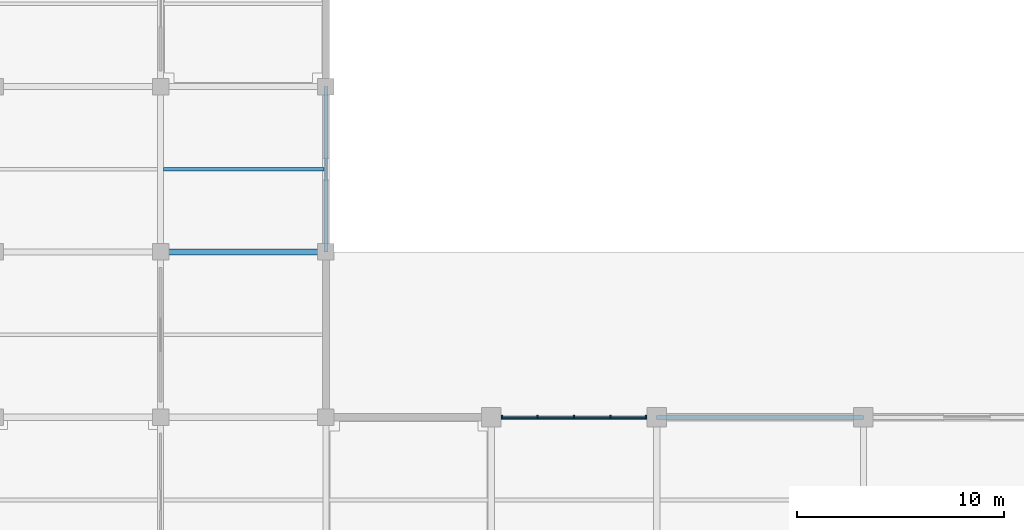
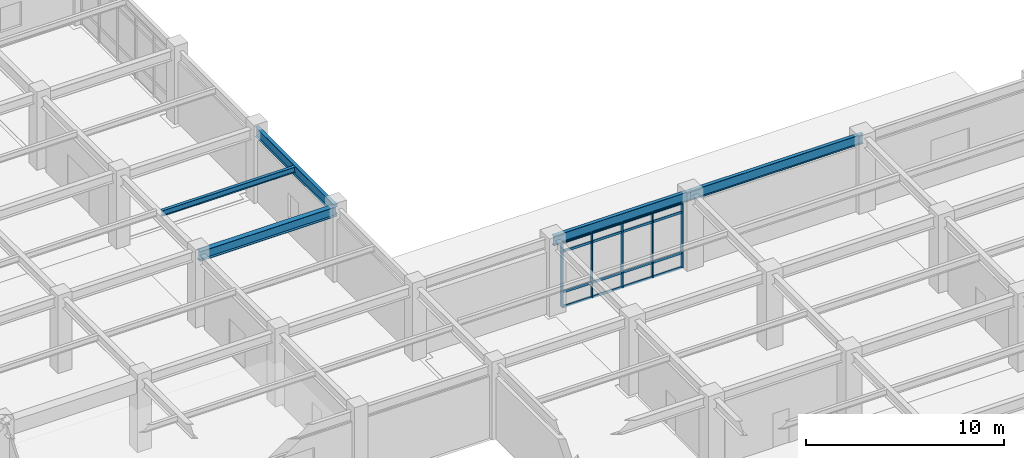
# One storey, part 51 of 109: 21 members, 5 beams, 1 element without a shape of its own.
"""IFC4 building model written with IfcOpenShell, lengths in metres."""

from ifc_helpers import new_model, si_unit, direction, frame, origin, origin_2d, place, context, subcontext, project, spatial, rectangle, i_section, extrude, material, layer, layer_set, material_profile, profile_set, type_object, element, aggregate, save


model = new_model("IFC4")

# Units and contexts
model_context = context("Model", 3, precision=1e-05, world=origin(), true_north=direction((0.0, 1.0)))
body_context = subcontext(model_context, "Body", "Model", "MODEL_VIEW")
ifc_project = project(units=[si_unit("LENGTHUNIT", "METRE"), si_unit("AREAUNIT", "SQUARE_METRE"), si_unit("VOLUMEUNIT", "CUBIC_METRE"), si_unit("PLANEANGLEUNIT", "RADIAN"), si_unit("MASSUNIT", "GRAM", prefix="KILO")], contexts=[model_context])

# Site, building, storey
site_placement = place(None, origin())
site = spatial("IfcSite", under=ifc_project, at=site_placement, CompositionType="ELEMENT")
building_placement = place(site_placement, origin())
building = spatial("IfcBuilding", under=site, at=building_placement, Name="Haebicheon Civic Stadium", CompositionType="ELEMENT")
storey_placement = place(building_placement, frame((0.0, 0.0, 9.60009765625)))
storey = spatial("IfcBuildingStorey", under=building, at=storey_placement, Name="L03", CompositionType="ELEMENT", Elevation=9.60009765625)

# Beam
ifc_material_1 = material(Name="Steel SM355 (S355)", Category="steel")
ifc_material_profile_1 = material_profile(ifc_material_1, i_section(OverallWidth=0.300048828125, OverallDepth=0.60009765625, WebThickness=0.011962890625, FlangeThickness=0.02001953125, at=origin_2d()), Name="H-600x300x12x20")
ifc_profile_set_1 = profile_set([ifc_material_profile_1], Name="Steel SM355 (S355)")
beam_type_1 = type_object("IfcBeamType", Name="BM-ST-H600A", PredefinedType="BEAM", material=ifc_profile_set_1)
beam_1_placement = place(storey_placement, frame((192.0, 152.0, 4.099853515625), z_axis=(1.0, 0.0, 0.0), x_axis=(0.0, 1.0, 0.0)))
element("IfcBeam", 1, at=beam_1_placement, inside=storey, type_object=beam_type_1, material=ifc_profile_set_1, Name="L03 beam V/25-26", PredefinedType="BEAM", context=body_context, shape_type="SweptSolid", body=[
    extrude(i_section(OverallWidth=0.300048828125, OverallDepth=0.60009765625, WebThickness=0.011962890625, FlangeThickness=0.02001953125, at=origin_2d()), origin(), (0.0, 0.0, 1.0), 8.0),
])

# Curtain wall, members
ifc_material_2 = material(Name="Anodised aluminium and laminated glass", Category="aluminium")
ifc_layer = layer(ifc_material_2, 0.179931640625, Name="Anodised aluminium and laminated glass")
ifc_layer_set = layer_set([ifc_layer], Name="Anodised aluminium and laminated glass")
curtain_wall_type = type_object("IfcCurtainWallType", Name="CW-7050x3950", PredefinedType="NOTDEFINED", material=ifc_layer_set)
curtain_wall_placement = place(storey_placement, origin())
curtain_wall = element("IfcCurtainWall", 2, at=curtain_wall_placement, inside=storey, type_object=curtain_wall_type, material=ifc_layer_set, Name="L03 unitised curtain wall 100", PredefinedType="NOTDEFINED")
ifc_material_3 = material(Name="Anodised aluminium 6063-T6", Category="aluminium")
ifc_material_profile_2 = material_profile(ifc_material_3, rectangle(XDim=0.070068359375, YDim=0.199951171875, at=origin_2d()), Name="ALU-MULL-70x200")
ifc_profile_set_2 = profile_set([ifc_material_profile_2], Name="Anodised aluminium 6063-T6")
member_type_1 = type_object("IfcMemberType", Name="CWM-200x70", PredefinedType="MULLION", material=ifc_profile_set_2)
member_1_placement = place(storey_placement, frame((208.510009765625, 144.0, 0.0), z_axis=(0.0, 0.0, 1.0), x_axis=(1.0, 0.0, 0.0)))
member_1 = element("IfcMember", 3, at=member_1_placement, type_object=member_type_1, material=ifc_profile_set_2, Name="CW-L03-100 vertical mullion 1", PredefinedType="MULLION", context=body_context, shape_type="SweptSolid", body=[
    extrude(rectangle(XDim=0.070068359375, YDim=0.199951171875, at=origin_2d()), origin(), (0.0, 0.0, 1.0), 3.949951171875),
])
member_2_placement = place(storey_placement, frame((210.237060546875, 144.0, 0.0), z_axis=(0.0, 0.0, 1.0), x_axis=(1.0, 0.0, 0.0)))
member_2 = element("IfcMember", 4, at=member_2_placement, type_object=member_type_1, material=ifc_profile_set_2, Name="CW-L03-100 vertical mullion 2", PredefinedType="MULLION", context=body_context, shape_type="SweptSolid", body=[
    extrude(rectangle(XDim=0.070068359375, YDim=0.199951171875, at=origin_2d()), origin(), (0.0, 0.0, 1.0), 3.949951171875),
])
member_3_placement = place(storey_placement, frame((212.0, 144.0, 0.0), z_axis=(0.0, 0.0, 1.0), x_axis=(1.0, 0.0, 0.0)))
member_3 = element("IfcMember", 5, at=member_3_placement, type_object=member_type_1, material=ifc_profile_set_2, Name="CW-L03-100 vertical mullion 3", PredefinedType="MULLION", context=body_context, shape_type="SweptSolid", body=[
    extrude(rectangle(XDim=0.070068359375, YDim=0.199951171875, at=origin_2d()), origin(), (0.0, 0.0, 1.0), 3.949951171875),
])
member_4_placement = place(storey_placement, frame((213.762939453125, 144.0, 0.0), z_axis=(0.0, 0.0, 1.0), x_axis=(1.0, 0.0, 0.0)))
member_4 = element("IfcMember", 6, at=member_4_placement, type_object=member_type_1, material=ifc_profile_set_2, Name="CW-L03-100 vertical mullion 4", PredefinedType="MULLION", context=body_context, shape_type="SweptSolid", body=[
    extrude(rectangle(XDim=0.070068359375, YDim=0.199951171875, at=origin_2d()), origin(), (0.0, 0.0, 1.0), 3.949951171875),
])
member_5_placement = place(storey_placement, frame((215.489990234375, 144.0, 0.0), z_axis=(0.0, 0.0, 1.0), x_axis=(1.0, 0.0, 0.0)))
member_5 = element("IfcMember", 7, at=member_5_placement, type_object=member_type_1, material=ifc_profile_set_2, Name="CW-L03-100 vertical mullion 5", PredefinedType="MULLION", context=body_context, shape_type="SweptSolid", body=[
    extrude(rectangle(XDim=0.070068359375, YDim=0.199951171875, at=origin_2d()), origin(), (0.0, 0.0, 1.0), 3.949951171875),
])
ifc_material_4 = material(Name="Anodised aluminium 6063-T6", Category="aluminium")
ifc_material_profile_3 = material_profile(ifc_material_4, rectangle(XDim=0.070068359375, YDim=0.14990234375, at=origin_2d()), Name="ALU-TRAN-70x150")
ifc_profile_set_3 = profile_set([ifc_material_profile_3], Name="Anodised aluminium 6063-T6")
member_type_2 = type_object("IfcMemberType", Name="CWT-150x70", PredefinedType="NOTDEFINED", material=ifc_profile_set_3)
member_6_placement = place(storey_placement, frame((208.544921875, 144.0, 0.0), z_axis=(1.0, 0.0, 0.0), x_axis=(0.0, 1.0, 0.0)))
member_6 = element("IfcMember", 8, at=member_6_placement, type_object=member_type_2, material=ifc_profile_set_3, Name="CW-L03-100 horizontal transom 1.1", ObjectType="TRANSOM", PredefinedType="USERDEFINED", context=body_context, shape_type="SweptSolid", body=[
    extrude(rectangle(XDim=0.070068359375, YDim=0.14990234375, at=origin_2d()), origin(), (0.0, 0.0, 1.0), 1.656982421875),
])
member_7_placement = place(storey_placement, frame((208.544921875, 144.0, 0.89990234375), z_axis=(1.0, 0.0, 0.0), x_axis=(0.0, 1.0, 0.0)))
member_7 = element("IfcMember", 9, at=member_7_placement, type_object=member_type_2, material=ifc_profile_set_3, Name="CW-L03-100 horizontal transom 1.2", ObjectType="TRANSOM", PredefinedType="USERDEFINED", context=body_context, shape_type="SweptSolid", body=[
    extrude(rectangle(XDim=0.070068359375, YDim=0.14990234375, at=origin_2d()), origin(), (0.0, 0.0, 1.0), 1.656982421875),
])
member_8_placement = place(storey_placement, frame((208.544921875, 144.0, 3.39990234375), z_axis=(1.0, 0.0, 0.0), x_axis=(0.0, 1.0, 0.0)))
member_8 = element("IfcMember", 10, at=member_8_placement, type_object=member_type_2, material=ifc_profile_set_3, Name="CW-L03-100 horizontal transom 1.3", ObjectType="TRANSOM", PredefinedType="USERDEFINED", context=body_context, shape_type="SweptSolid", body=[
    extrude(rectangle(XDim=0.070068359375, YDim=0.14990234375, at=origin_2d()), origin(), (0.0, 0.0, 1.0), 1.656982421875),
])
member_9_placement = place(storey_placement, frame((208.544921875, 144.0, 3.949951171875), z_axis=(1.0, 0.0, 0.0), x_axis=(0.0, 1.0, 0.0)))
member_9 = element("IfcMember", 11, at=member_9_placement, type_object=member_type_2, material=ifc_profile_set_3, Name="CW-L03-100 horizontal transom 1.4", ObjectType="TRANSOM", PredefinedType="USERDEFINED", context=body_context, shape_type="SweptSolid", body=[
    extrude(rectangle(XDim=0.070068359375, YDim=0.14990234375, at=origin_2d()), origin(), (0.0, 0.0, 1.0), 1.656982421875),
])
member_10_placement = place(storey_placement, frame((210.27197265625, 144.0, 0.0), z_axis=(1.0, 0.0, 0.0), x_axis=(0.0, 1.0, 0.0)))
member_10 = element("IfcMember", 12, at=member_10_placement, type_object=member_type_2, material=ifc_profile_set_3, Name="CW-L03-100 horizontal transom 2.1", ObjectType="TRANSOM", PredefinedType="USERDEFINED", context=body_context, shape_type="SweptSolid", body=[
    extrude(rectangle(XDim=0.070068359375, YDim=0.14990234375, at=origin_2d()), origin(), (0.0, 0.0, 1.0), 1.693115234375),
])
member_11_placement = place(storey_placement, frame((210.27197265625, 144.0, 0.89990234375), z_axis=(1.0, 0.0, 0.0), x_axis=(0.0, 1.0, 0.0)))
member_11 = element("IfcMember", 13, at=member_11_placement, type_object=member_type_2, material=ifc_profile_set_3, Name="CW-L03-100 horizontal transom 2.2", ObjectType="TRANSOM", PredefinedType="USERDEFINED", context=body_context, shape_type="SweptSolid", body=[
    extrude(rectangle(XDim=0.070068359375, YDim=0.14990234375, at=origin_2d()), origin(), (0.0, 0.0, 1.0), 1.693115234375),
])
member_12_placement = place(storey_placement, frame((210.27197265625, 144.0, 3.39990234375), z_axis=(1.0, 0.0, 0.0), x_axis=(0.0, 1.0, 0.0)))
member_12 = element("IfcMember", 14, at=member_12_placement, type_object=member_type_2, material=ifc_profile_set_3, Name="CW-L03-100 horizontal transom 2.3", ObjectType="TRANSOM", PredefinedType="USERDEFINED", context=body_context, shape_type="SweptSolid", body=[
    extrude(rectangle(XDim=0.070068359375, YDim=0.14990234375, at=origin_2d()), origin(), (0.0, 0.0, 1.0), 1.693115234375),
])
member_13_placement = place(storey_placement, frame((210.27197265625, 144.0, 3.949951171875), z_axis=(1.0, 0.0, 0.0), x_axis=(0.0, 1.0, 0.0)))
member_13 = element("IfcMember", 15, at=member_13_placement, type_object=member_type_2, material=ifc_profile_set_3, Name="CW-L03-100 horizontal transom 2.4", ObjectType="TRANSOM", PredefinedType="USERDEFINED", context=body_context, shape_type="SweptSolid", body=[
    extrude(rectangle(XDim=0.070068359375, YDim=0.14990234375, at=origin_2d()), origin(), (0.0, 0.0, 1.0), 1.693115234375),
])
member_14_placement = place(storey_placement, frame((212.034912109375, 144.0, 0.0), z_axis=(1.0, 0.0, 0.0), x_axis=(0.0, 1.0, 0.0)))
member_14 = element("IfcMember", 16, at=member_14_placement, type_object=member_type_2, material=ifc_profile_set_3, Name="CW-L03-100 horizontal transom 3.1", ObjectType="TRANSOM", PredefinedType="USERDEFINED", context=body_context, shape_type="SweptSolid", body=[
    extrude(rectangle(XDim=0.070068359375, YDim=0.14990234375, at=origin_2d()), origin(), (0.0, 0.0, 1.0), 1.693115234375),
])
member_15_placement = place(storey_placement, frame((212.034912109375, 144.0, 0.89990234375), z_axis=(1.0, 0.0, 0.0), x_axis=(0.0, 1.0, 0.0)))
member_15 = element("IfcMember", 17, at=member_15_placement, type_object=member_type_2, material=ifc_profile_set_3, Name="CW-L03-100 horizontal transom 3.2", ObjectType="TRANSOM", PredefinedType="USERDEFINED", context=body_context, shape_type="SweptSolid", body=[
    extrude(rectangle(XDim=0.070068359375, YDim=0.14990234375, at=origin_2d()), origin(), (0.0, 0.0, 1.0), 1.693115234375),
])
member_16_placement = place(storey_placement, frame((212.034912109375, 144.0, 3.39990234375), z_axis=(1.0, 0.0, 0.0), x_axis=(0.0, 1.0, 0.0)))
member_16 = element("IfcMember", 18, at=member_16_placement, type_object=member_type_2, material=ifc_profile_set_3, Name="CW-L03-100 horizontal transom 3.3", ObjectType="TRANSOM", PredefinedType="USERDEFINED", context=body_context, shape_type="SweptSolid", body=[
    extrude(rectangle(XDim=0.070068359375, YDim=0.14990234375, at=origin_2d()), origin(), (0.0, 0.0, 1.0), 1.693115234375),
])
member_17_placement = place(storey_placement, frame((212.034912109375, 144.0, 3.949951171875), z_axis=(1.0, 0.0, 0.0), x_axis=(0.0, 1.0, 0.0)))
member_17 = element("IfcMember", 19, at=member_17_placement, type_object=member_type_2, material=ifc_profile_set_3, Name="CW-L03-100 horizontal transom 3.4", ObjectType="TRANSOM", PredefinedType="USERDEFINED", context=body_context, shape_type="SweptSolid", body=[
    extrude(rectangle(XDim=0.070068359375, YDim=0.14990234375, at=origin_2d()), origin(), (0.0, 0.0, 1.0), 1.693115234375),
])
member_18_placement = place(storey_placement, frame((213.798095703125, 144.0, 0.0), z_axis=(1.0, 0.0, 0.0), x_axis=(0.0, 1.0, 0.0)))
member_18 = element("IfcMember", 20, at=member_18_placement, type_object=member_type_2, material=ifc_profile_set_3, Name="CW-L03-100 horizontal transom 4.1", ObjectType="TRANSOM", PredefinedType="USERDEFINED", context=body_context, shape_type="SweptSolid", body=[
    extrude(rectangle(XDim=0.070068359375, YDim=0.14990234375, at=origin_2d()), origin(), (0.0, 0.0, 1.0), 1.656982421875),
])
member_19_placement = place(storey_placement, frame((213.798095703125, 144.0, 0.89990234375), z_axis=(1.0, 0.0, 0.0), x_axis=(0.0, 1.0, 0.0)))
member_19 = element("IfcMember", 21, at=member_19_placement, type_object=member_type_2, material=ifc_profile_set_3, Name="CW-L03-100 horizontal transom 4.2", ObjectType="TRANSOM", PredefinedType="USERDEFINED", context=body_context, shape_type="SweptSolid", body=[
    extrude(rectangle(XDim=0.070068359375, YDim=0.14990234375, at=origin_2d()), origin(), (0.0, 0.0, 1.0), 1.656982421875),
])
member_20_placement = place(storey_placement, frame((213.798095703125, 144.0, 3.39990234375), z_axis=(1.0, 0.0, 0.0), x_axis=(0.0, 1.0, 0.0)))
member_20 = element("IfcMember", 22, at=member_20_placement, type_object=member_type_2, material=ifc_profile_set_3, Name="CW-L03-100 horizontal transom 4.3", ObjectType="TRANSOM", PredefinedType="USERDEFINED", context=body_context, shape_type="SweptSolid", body=[
    extrude(rectangle(XDim=0.070068359375, YDim=0.14990234375, at=origin_2d()), origin(), (0.0, 0.0, 1.0), 1.656982421875),
])
member_21_placement = place(storey_placement, frame((213.798095703125, 144.0, 3.949951171875), z_axis=(1.0, 0.0, 0.0), x_axis=(0.0, 1.0, 0.0)))
member_21 = element("IfcMember", 23, at=member_21_placement, type_object=member_type_2, material=ifc_profile_set_3, Name="CW-L03-100 horizontal transom 4.4", ObjectType="TRANSOM", PredefinedType="USERDEFINED", context=body_context, shape_type="SweptSolid", body=[
    extrude(rectangle(XDim=0.070068359375, YDim=0.14990234375, at=origin_2d()), origin(), (0.0, 0.0, 1.0), 1.656982421875),
])
aggregate(curtain_wall, [member_1, member_2, member_3, member_4, member_5, member_6, member_7, member_8, member_9, member_10, member_11, member_12, member_13, member_14, member_15, member_16, member_17, member_18, member_19, member_20, member_21])

# Beams
ifc_material_5 = material(Name="Steel SM355 (S355)", Category="steel")
ifc_material_profile_4 = material_profile(ifc_material_5, i_section(OverallWidth=0.175048828125, OverallDepth=0.35009765625, WebThickness=0.007080078125, FlangeThickness=0.010986328125, at=origin_2d()), Name="H-350x175x7x11")
ifc_profile_set_4 = profile_set([ifc_material_profile_4], Name="Steel SM355 (S355)")
beam_type_2 = type_object("IfcBeamType", Name="JST-ST-H350", PredefinedType="JOIST", material=ifc_profile_set_4)
beam_2_placement = place(storey_placement, frame((192.14990234375, 156.0, 4.224853515625), z_axis=(1.0, 0.0, 0.0), x_axis=(0.0, 1.0, 0.0)))
element("IfcBeam", 24, at=beam_2_placement, inside=storey, type_object=beam_type_2, material=ifc_profile_set_4, Name="L03 secondary joist 24-19", PredefinedType="JOIST", context=body_context, shape_type="SweptSolid", body=[
    extrude(i_section(OverallWidth=0.175048828125, OverallDepth=0.35009765625, WebThickness=0.007080078125, FlangeThickness=0.010986328125, at=origin_2d()), origin(), (0.0, 0.0, 1.0), 7.75),
])
ifc_material_6 = material(Name="Steel SM355 (S355)", Category="steel")
ifc_material_profile_5 = material_profile(ifc_material_6, i_section(OverallWidth=0.199951171875, OverallDepth=0.60009765625, WebThickness=0.010986328125, FlangeThickness=0.01708984375, at=origin_2d()), Name="H-600x200x11x17")
ifc_profile_set_5 = profile_set([ifc_material_profile_5], Name="Steel SM355 (S355)")
beam_type_3 = type_object("IfcBeamType", Name="SPD-ST-H600B", PredefinedType="SPANDREL", material=ifc_profile_set_5)
for number, where, z_axis, x_axis, name in (
    (25, (200.0, 152.0, 4.099853515625), (0.0, 1.0, 0.0), (-1.0, 0.0, 0.0), "L03 girder 26/V-W"),
    (26, (208.0, 144.0, 4.27978515625), (1.0, 0.0, 0.0), (0.0, 1.0, 0.0), "L03 beam U/27-28"),
):
    element("IfcBeam", number, at=place(storey_placement, frame(where, z_axis=z_axis, x_axis=x_axis)), inside=storey, type_object=beam_type_3, material=ifc_profile_set_5, Name=name, PredefinedType="SPANDREL", context=body_context, shape_type="SweptSolid", body=[
        extrude(i_section(OverallWidth=0.199951171875, OverallDepth=0.60009765625, WebThickness=0.010986328125, FlangeThickness=0.01708984375, at=origin_2d()), origin(), (0.0, 0.0, 1.0), 8.0),
    ])
beam_3_placement = place(storey_placement, frame((216.0, 144.0, 4.27978515625), z_axis=(1.0, 0.0, 0.0), x_axis=(0.0, 1.0, 0.0)))
element("IfcBeam", 27, at=beam_3_placement, inside=storey, type_object=beam_type_3, material=ifc_profile_set_5, Name="L03 beam U/28-29", PredefinedType="SPANDREL", context=body_context, shape_type="SweptSolid", body=[
    extrude(i_section(OverallWidth=0.199951171875, OverallDepth=0.60009765625, WebThickness=0.010986328125, FlangeThickness=0.01708984375, at=origin_2d()), origin(), (0.0, 0.0, 1.0), 10.0),
])

save(model, "model.ifc")
